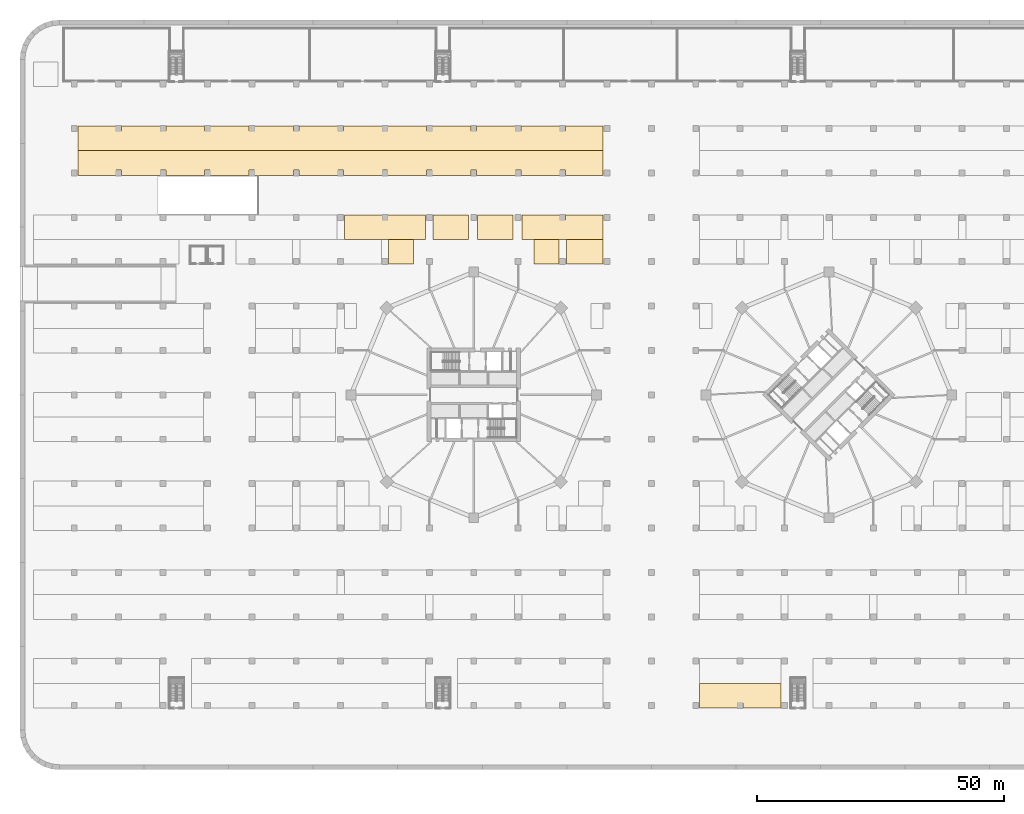
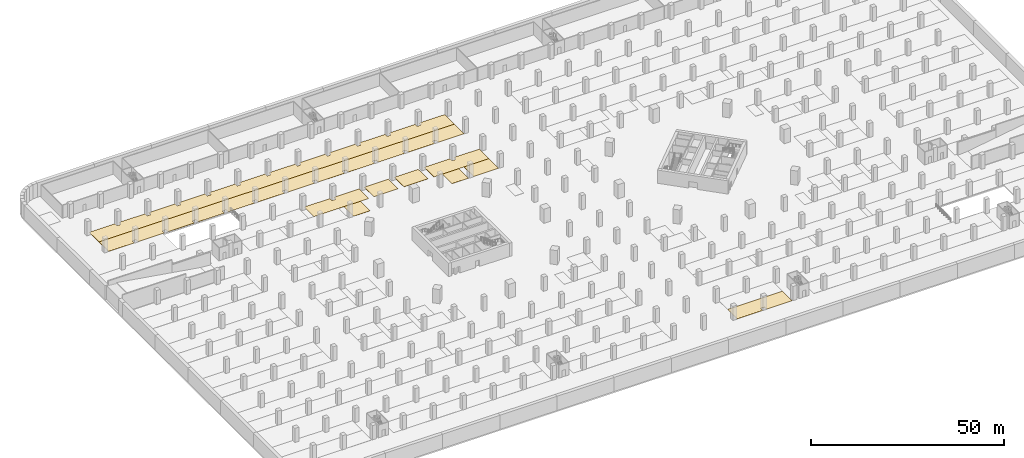
# One storey, part 25 of 34: 10 coverings.
"""IFC4 building model written with IfcOpenShell, lengths in metres."""

import ifcopenshell
import ifcopenshell.guid

model = None  # the IFC model being written
_history = None  # IfcOwnerHistory: only IFC2X3 demands one
_inside = {}  # id of a spatial element -> (the spatial element, [elements in it])
_under = {}  # id of a project, library or spatial element -> (it, [spatial elements below it])
_declared = {}  # id of a project -> (the project, [libraries it declares])
_typed = {}  # id of a type object -> (the type object, [elements of that type])
_made_of = {}  # id of a material, layer set ... -> (it, [elements and type objects made of it])


def new_model(schema):
    """Start an empty IFC model of exactly this schema.

    Asked for "IFC4X3", IfcOpenShell would pick the latest addendum, in which some entities
    have other attributes; the version numbers below select the first issue.
    IFC2X3 requires an IfcOwnerHistory on every rooted entity: one is made here for all.
    """
    global model, _history
    if schema == "IFC4X3":
        model = ifcopenshell.file(schema_version=(4, 3, 0, 0))
    else:
        model = ifcopenshell.file(schema=schema)
    _inside.clear()
    _under.clear()
    _declared.clear()
    _typed.clear()
    _made_of.clear()
    _history = None
    if model.schema == "IFC2X3":
        org = make("IfcOrganization", Name="unknown")
        user = make(
            "IfcPersonAndOrganization",
            ThePerson=make("IfcPerson", FamilyName="unknown"),
            TheOrganization=org,
        )
        app = make(
            "IfcApplication",
            ApplicationDeveloper=org,
            Version="unknown",
            ApplicationFullName="unknown",
            ApplicationIdentifier="unknown",
        )
        _history = make(
            "IfcOwnerHistory",
            OwningUser=user,
            OwningApplication=app,
            ChangeAction="ADDED",
            CreationDate=0,
        )
    return model


def make(cls, **values):
    """One entity of the class cls with the attributes given. An attribute that is None is left unset."""
    return model.create_entity(
        cls, **{name: value for name, value in values.items() if value is not None}
    )


def rooted(cls, **values):
    """An entity with a GlobalId (a new one), such as an element, a storey or a relation."""
    return make(cls, GlobalId=ifcopenshell.guid.new(), OwnerHistory=_history, **values)


def si_unit(unit_type, name, prefix=None):
    """IfcSIUnit, for example si_unit("LENGTHUNIT", "METRE", prefix="MILLI")."""
    return make("IfcSIUnit", UnitType=unit_type, Prefix=prefix, Name=name)


def assignment(units):
    """IfcUnitAssignment: the units of a project."""
    return None if units is None else make("IfcUnitAssignment", Units=units)


def point(xyz):
    """IfcCartesianPoint."""
    return None if xyz is None else make("IfcCartesianPoint", Coordinates=xyz)


def direction(xyz):
    """IfcDirection."""
    return None if xyz is None else make("IfcDirection", DirectionRatios=xyz)


def frame(location, z_axis=None, x_axis=None):
    """IfcAxis2Placement3D, a coordinate frame: its origin and axes. An axis left out is left unset."""
    return make(
        "IfcAxis2Placement3D",
        Location=point(location),
        Axis=direction(z_axis),
        RefDirection=direction(x_axis),
    )


def origin():
    """The frame at (0, 0, 0) with its axes left unset."""
    return frame((0.0, 0.0, 0.0))


def place(relative_to, where):
    """IfcLocalPlacement: puts the frame where relative to a parent placement (None: the world)."""
    return make(
        "IfcLocalPlacement", PlacementRelTo=relative_to, RelativePlacement=where
    )


def context(
    kind, dimensions, precision=None, world=None, true_north=None, identifier=None
):
    """IfcGeometricRepresentationContext, for example the 3D "Model" context."""
    return make(
        "IfcGeometricRepresentationContext",
        ContextIdentifier=identifier,
        ContextType=kind,
        CoordinateSpaceDimension=dimensions,
        Precision=precision,
        WorldCoordinateSystem=world,
        TrueNorth=true_north,
    )


def subcontext(parent, identifier, kind, view, scale=None):
    """IfcGeometricRepresentationSubContext, for example "Body" below "Model"."""
    return make(
        "IfcGeometricRepresentationSubContext",
        ContextIdentifier=identifier,
        ContextType=kind,
        ParentContext=parent,
        TargetScale=scale,
        TargetView=view,
    )


def project(units=None, contexts=None):
    """IfcProject with its units and contexts."""
    return rooted(
        "IfcProject",
        Name="project",
        RepresentationContexts=contexts,
        UnitsInContext=assignment(units),
    )


def spatial(cls, under=None, at=None, **own):
    """A site, building, storey or space (cls), placed at a placement, below another one or the project."""
    s = rooted(cls, ObjectPlacement=at, **own)
    if under is not None:
        _under.setdefault(under.id(), (under, []))[1].append(s)
    return s


def polyline(points):
    """IfcPolyline through the points."""
    return make("IfcPolyline", Points=[point(p) for p in points])


def outline(outer, holes=None, kind="AREA"):
    """IfcArbitraryClosedProfileDef: a profile drawn as a closed curve; with holes, ...WithVoids."""
    if holes is None:
        return make("IfcArbitraryClosedProfileDef", ProfileType=kind, OuterCurve=outer)
    return make(
        "IfcArbitraryProfileDefWithVoids",
        ProfileType=kind,
        OuterCurve=outer,
        InnerCurves=holes,
    )


def extrude(swept, where, along, depth):
    """IfcExtrudedAreaSolid: the profile swept, set in the frame where, extruded along a direction by depth."""
    return make(
        "IfcExtrudedAreaSolid",
        SweptArea=swept,
        Position=where,
        ExtrudedDirection=direction(along),
        Depth=depth,
    )


def shape(context_of_items, identifier, shape_type, items):
    """IfcShapeRepresentation: the items that make up one representation, for example the "Body"."""
    return make(
        "IfcShapeRepresentation",
        ContextOfItems=context_of_items,
        RepresentationIdentifier=identifier,
        RepresentationType=shape_type,
        Items=items,
    )


def material(Name=None, Category=None):
    """IfcMaterial."""
    return make("IfcMaterial", Name=Name, Category=Category)


def layer(
    of_material, thickness, ventilated=None, Name=None, Category=None, Priority=None
):
    """IfcMaterialLayer: one layer of a wall or slab, of a material (None: an air gap)."""
    return make(
        "IfcMaterialLayer",
        Material=of_material,
        LayerThickness=thickness,
        IsVentilated=ventilated,
        Name=Name,
        Category=Category,
        Priority=Priority,
    )


def layer_set(layers, Name=None):
    """IfcMaterialLayerSet."""
    return make("IfcMaterialLayerSet", MaterialLayers=layers, LayerSetName=Name)


def made_of(thing, what):
    """Note that an element or type object is made of a material, layer set ...; save() writes the relation."""
    if what is not None:
        _made_of.setdefault(what.id(), (what, []))[1].append(thing)
    return thing


def type_object(cls, material=None, **own):
    """A type object (cls), such as IfcWallType, which elements share."""
    return made_of(rooted(cls, **own), material)


def element(
    cls,
    number,
    at=None,
    inside=None,
    cuts=None,
    type_object=None,
    material=None,
    context=None,
    identifier="Body",
    shape_type=None,
    held_by="IfcProductDefinitionShape",
    body=None,
    shapes=None,
    **own,
):
    """One element of the class cls, such as IfcWall. Its Tag is "e" and its number.

    at: its placement. inside: the storey or other place that contains it. cuts: it is an
    opening in that element (IfcRelVoidsElement). A single representation is given by context,
    identifier, shape_type and body (its items); several are given by shapes. held_by: the class
    of the entity that holds the representations. save() writes the other relations.
    """
    e = rooted(cls, Tag="e%d" % number, ObjectPlacement=at, **own)
    if body is not None:
        shapes = [shape(context, identifier, shape_type, body)]
    if shapes is not None:
        e.Representation = make(held_by, Representations=shapes)
    if inside is not None:
        _inside.setdefault(inside.id(), (inside, []))[1].append(e)
    if cuts is not None:
        rooted(
            "IfcRelVoidsElement", RelatingBuildingElement=cuts, RelatedOpeningElement=e
        )
    if type_object is not None:
        _typed.setdefault(type_object.id(), (type_object, []))[1].append(e)
    return made_of(e, material)


def aggregate(whole, parts):
    """IfcRelAggregates: a whole, such as a stair, and the parts it consists of."""
    return rooted("IfcRelAggregates", RelatingObject=whole, RelatedObjects=parts)


def save(model, path):
    """Write the relations noted so far, then the file.

    IfcRelAggregates (storeys below a building ...), IfcRelContainedInSpatialStructure (elements
    in a storey), IfcRelDefinesByType, IfcRelAssociatesMaterial and IfcRelDeclares: one each for
    every whole, place, type object, material and project.
    """
    for whole, parts in _under.values():
        aggregate(whole, parts)
    for where, things in _inside.values():
        rooted(
            "IfcRelContainedInSpatialStructure",
            RelatedElements=things,
            RelatingStructure=where,
        )
    for kind, things in _typed.values():
        rooted("IfcRelDefinesByType", RelatedObjects=things, RelatingType=kind)
    for what, things in _made_of.values():
        rooted("IfcRelAssociatesMaterial", RelatedObjects=things, RelatingMaterial=what)
    for by, libraries in _declared.values():
        rooted("IfcRelDeclares", RelatingContext=by, RelatedDefinitions=libraries)
    model.write(path)


model = new_model("IFC4")

# Units and contexts
model_context = context("Model", 3, precision=1e-05, world=origin(), true_north=direction((0.0, 1.0)))
body_context = subcontext(model_context, "Body", "Model", "MODEL_VIEW")
ifc_project = project(units=[si_unit("LENGTHUNIT", "METRE"), si_unit("AREAUNIT", "SQUARE_METRE"), si_unit("VOLUMEUNIT", "CUBIC_METRE"), si_unit("PLANEANGLEUNIT", "RADIAN"), si_unit("MASSUNIT", "GRAM", prefix="KILO")], contexts=[model_context])

# Site, building, storey
site_placement = place(None, origin())
site = spatial("IfcSite", under=ifc_project, at=site_placement, CompositionType="ELEMENT")
building_placement = place(site_placement, origin())
building = spatial("IfcBuilding", under=site, at=building_placement, Name="Ogive Gate Towers", CompositionType="ELEMENT")
storey_placement = place(building_placement, frame((0.0, 0.0, -4.5)))
storey = spatial("IfcBuildingStorey", under=building, at=storey_placement, Name="B1", CompositionType="ELEMENT", Elevation=-4.5)

# Coverings
ifc_material = material(Name="Painted floor marking")
ifc_layer_1 = layer(ifc_material, 0.02001953125)
ifc_layer_set_1 = layer_set([ifc_layer_1], Name="Accessible bay marking")
covering_type_1 = type_object("IfcCoveringType", Name="Accessible bay marking", PredefinedType="FLOORING", material=ifc_layer_set_1)
covering_1_placement = place(storey_placement, origin())
element("IfcCovering", 1, at=covering_1_placement, inside=storey, type_object=covering_type_1, Name="Accessible parking bays B1-498 to B1-499", PredefinedType="FLOORING", context=body_context, shape_type="SweptSolid", body=[
    extrude(outline(polyline([(-37.050048828125, 36.5), (-37.050048828125, 31.5), (-44.25, 31.5), (-44.25, 36.5), (-37.050048828125, 36.5)])), origin(), (0.0, 0.0, 1.0), 0.02001953125),
])
covering_2_placement = place(storey_placement, origin())
element("IfcCovering", 2, at=covering_2_placement, inside=storey, type_object=covering_type_1, Name="Accessible parking bays B1-500 to B1-501", PredefinedType="FLOORING", context=body_context, shape_type="SweptSolid", body=[
    extrude(outline(polyline([(-28.050048828125, 31.5), (-35.25, 31.5), (-35.25, 36.5), (-28.050048828125, 36.5), (-28.050048828125, 31.5)])), origin(), (0.0, 0.0, 1.0), 0.02001953125),
])
ifc_layer_2 = layer(ifc_material, 0.02001953125)
ifc_layer_set_2 = layer_set([ifc_layer_2], Name="Charging bay marking")
covering_type_2 = type_object("IfcCoveringType", Name="Charging bay marking", PredefinedType="FLOORING", material=ifc_layer_set_2)
covering_3_placement = place(storey_placement, origin())
element("IfcCovering", 3, at=covering_3_placement, inside=storey, type_object=covering_type_2, Name="Charging bays B1-025 to B1-027", PredefinedType="FLOORING", context=body_context, shape_type="SweptSolid", body=[
    extrude(outline(polyline([(-9.75, 26.5), (-17.25, 26.5), (-17.25, 31.5), (-9.75, 31.5), (-9.75, 26.5)])), origin(), (0.0, 0.0, 1.0), 0.02001953125),
])
covering_4_placement = place(storey_placement, origin())
element("IfcCovering", 4, at=covering_4_placement, inside=storey, type_object=covering_type_2, Name="Charging bays B1-492 to B1-497", PredefinedType="FLOORING", context=body_context, shape_type="SweptSolid", body=[
    extrude(outline(polyline([(-62.25, 36.5), (-54.550048828125, 36.5), (-54.550048828125, 35.449951171875), (-53.449951171875, 35.449951171875), (-53.449951171875, 36.5), (-45.75, 36.5), (-45.75, 31.5), (-62.25, 31.5), (-62.25, 36.5)])), origin(), (0.0, 0.0, 1.0), 0.02001953125),
])
covering_5_placement = place(storey_placement, origin())
element("IfcCovering", 5, at=covering_5_placement, inside=storey, type_object=covering_type_2, Name="Charging bays B1-502 to B1-507", PredefinedType="FLOORING", context=body_context, shape_type="SweptSolid", body=[
    extrude(outline(polyline([(-26.25, 36.5), (-18.550048828125, 36.5), (-18.550048828125, 35.449951171875), (-17.449951171875, 35.449951171875), (-17.449951171875, 36.5), (-9.75, 36.5), (-9.75, 31.5), (-26.25, 31.5), (-26.25, 36.5)])), origin(), (0.0, 0.0, 1.0), 0.02001953125),
])
ifc_layer_3 = layer(ifc_material, 0.02001953125)
ifc_layer_set_3 = layer_set([ifc_layer_3], Name="Parking bay marking")
covering_type_3 = type_object("IfcCoveringType", Name="Parking bay marking", PredefinedType="FLOORING", material=ifc_layer_set_3)
covering_6_placement = place(storey_placement, origin())
element("IfcCovering", 6, at=covering_6_placement, inside=storey, type_object=covering_type_3, Name="Parking bays B1-021 to B1-022", PredefinedType="FLOORING", context=body_context, shape_type="SweptSolid", body=[
    extrude(outline(polyline([(-48.25, 31.5), (-48.25, 26.5), (-53.25, 26.5), (-53.25, 31.5), (-48.25, 31.5)])), origin(), (0.0, 0.0, 1.0), 0.02001953125),
])
covering_7_placement = place(storey_placement, origin())
element("IfcCovering", 7, at=covering_7_placement, inside=storey, type_object=covering_type_3, Name="Parking bays B1-023 to B1-024", PredefinedType="FLOORING", context=body_context, shape_type="SweptSolid", body=[
    extrude(outline(polyline([(-18.75, 26.5), (-23.75, 26.5), (-23.75, 31.5), (-18.75, 31.5), (-18.75, 26.5)])), origin(), (0.0, 0.0, 1.0), 0.02001953125),
])
covering_8_placement = place(storey_placement, origin())
element("IfcCovering", 8, at=covering_8_placement, inside=storey, type_object=covering_type_3, Name="Parking bays B1-093 to B1-128", PredefinedType="FLOORING", context=body_context, shape_type="SweptSolid", body=[
    extrude(outline(polyline([(-9.75, 49.5), (-9.75, 44.5), (-17.449951171875, 44.5), (-17.449951171875, 45.550048828125), (-18.550048828125, 45.550048828125), (-18.550048828125, 44.5), (-26.449951171875, 44.5), (-26.449951171875, 45.550048828125), (-27.550048828125, 45.550048828125), (-27.550048828125, 44.5), (-35.449951171875, 44.5), (-35.449951171875, 45.550048828125), (-36.550048828125, 45.550048828125), (-36.550048828125, 44.5), (-44.449951171875, 44.5), (-44.449951171875, 45.550048828125), (-45.550048828125, 45.550048828125), (-45.550048828125, 44.5), (-53.449951171875, 44.5), (-53.449951171875, 45.550048828125), (-54.550048828125, 45.550048828125), (-54.550048828125, 44.5), (-62.449951171875, 44.5), (-62.449951171875, 45.550048828125), (-63.550048828125, 45.550048828125), (-63.550048828125, 44.5), (-71.449951171875, 44.5), (-71.449951171875, 45.550048828125), (-72.550048828125, 45.550048828125), (-72.550048828125, 44.5), (-80.449951171875, 44.5), (-80.449951171875, 45.550048828125), (-81.550048828125, 45.550048828125), (-81.550048828125, 44.5), (-89.449951171875, 44.5), (-89.449951171875, 45.550048828125), (-90.550048828125, 45.550048828125), (-90.550048828125, 44.5), (-98.449951171875, 44.5), (-98.449951171875, 45.550048828125), (-99.550048828125, 45.550048828125), (-99.550048828125, 44.5), (-107.449951171875, 44.5), (-107.449951171875, 45.550048828125), (-108.550048828125, 45.550048828125), (-108.550048828125, 44.5), (-116.25, 44.5), (-116.25, 49.5), (-9.75, 49.5)])), origin(), (0.0, 0.0, 1.0), 0.02001953125),
])
covering_9_placement = place(storey_placement, origin())
element("IfcCovering", 9, at=covering_9_placement, inside=storey, type_object=covering_type_3, Name="Parking bays B1-365 to B1-370", PredefinedType="FLOORING", context=body_context, shape_type="SweptSolid", body=[
    extrude(outline(polyline([(9.75, -58.5), (26.25, -58.5), (26.25, -63.5), (18.550048828125, -63.5), (18.550048828125, -62.449951171875), (17.449951171875, -62.449951171875), (17.449951171875, -63.5), (9.75, -63.5), (9.75, -58.5)])), origin(), (0.0, 0.0, 1.0), 0.02001953125),
])
covering_10_placement = place(storey_placement, origin())
element("IfcCovering", 10, at=covering_10_placement, inside=storey, type_object=covering_type_3, Name="Parking bays B1-546 to B1-581", PredefinedType="FLOORING", context=body_context, shape_type="SweptSolid", body=[
    extrude(outline(polyline([(-108.550048828125, 54.5), (-108.550048828125, 53.449951171875), (-107.449951171875, 53.449951171875), (-107.449951171875, 54.5), (-99.550048828125, 54.5), (-99.550048828125, 53.449951171875), (-98.449951171875, 53.449951171875), (-98.449951171875, 54.5), (-90.550048828125, 54.5), (-90.550048828125, 53.449951171875), (-89.449951171875, 53.449951171875), (-89.449951171875, 54.5), (-81.550048828125, 54.5), (-81.550048828125, 53.449951171875), (-80.449951171875, 53.449951171875), (-80.449951171875, 54.5), (-72.550048828125, 54.5), (-72.550048828125, 53.449951171875), (-71.449951171875, 53.449951171875), (-71.449951171875, 54.5), (-63.550048828125, 54.5), (-63.550048828125, 53.449951171875), (-62.449951171875, 53.449951171875), (-62.449951171875, 54.5), (-54.550048828125, 54.5), (-54.550048828125, 53.449951171875), (-53.449951171875, 53.449951171875), (-53.449951171875, 54.5), (-45.550048828125, 54.5), (-45.550048828125, 53.449951171875), (-44.449951171875, 53.449951171875), (-44.449951171875, 54.5), (-36.550048828125, 54.5), (-36.550048828125, 53.449951171875), (-35.449951171875, 53.449951171875), (-35.449951171875, 54.5), (-27.550048828125, 54.5), (-27.550048828125, 53.449951171875), (-26.449951171875, 53.449951171875), (-26.449951171875, 54.5), (-18.550048828125, 54.5), (-18.550048828125, 53.449951171875), (-17.449951171875, 53.449951171875), (-17.449951171875, 54.5), (-9.75, 54.5), (-9.75, 49.5), (-116.25, 49.5), (-116.25, 54.5), (-108.550048828125, 54.5)])), origin(), (0.0, 0.0, 1.0), 0.02001953125),
])

save(model, "model.ifc")
